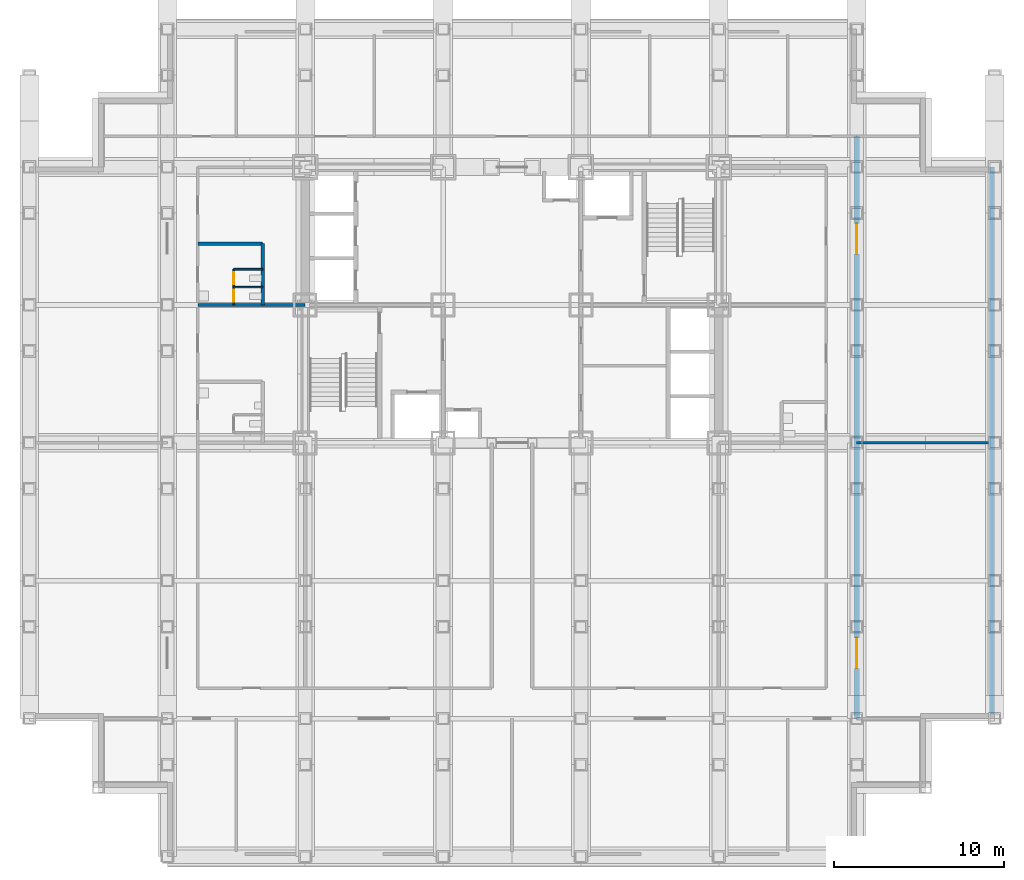
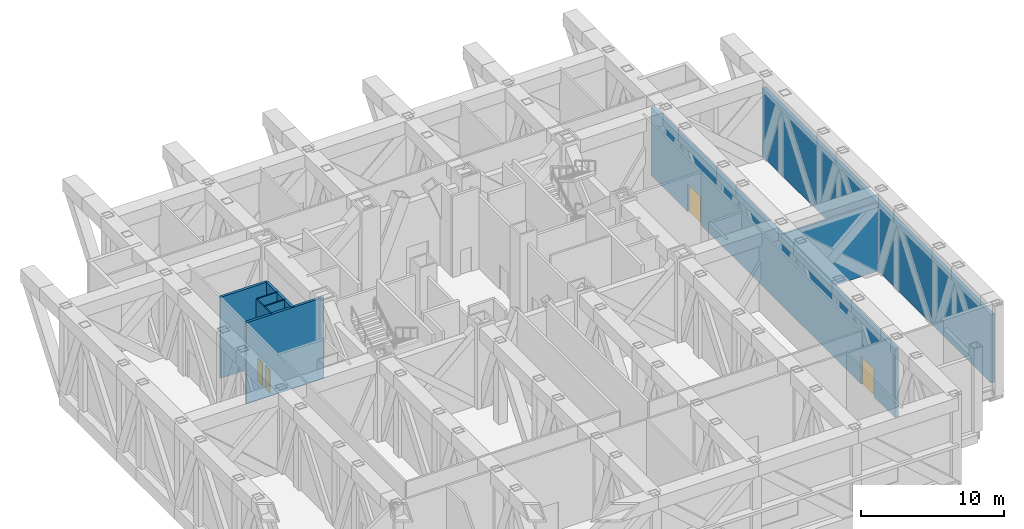
# One storey, part 9 of 13: 9 walls, 4 doors, 4 openings.
"""IFC4 building model written with IfcOpenShell, lengths in metres."""

from ifc_helpers import new_model, si_unit, direction, frame, frame_2d, origin, place, context, subcontext, project, spatial, rectangle, extrude, material, layer, layer_set, type_object, element, fill, save


model = new_model("IFC4")

# Units and contexts
model_context = context("Model", 3, precision=1e-05, world=origin(), true_north=direction((0.0, 1.0)))
body_context = subcontext(model_context, "Body", "Model", "MODEL_VIEW")
ifc_project = project(units=[si_unit("LENGTHUNIT", "METRE"), si_unit("AREAUNIT", "SQUARE_METRE"), si_unit("VOLUMEUNIT", "CUBIC_METRE"), si_unit("PLANEANGLEUNIT", "RADIAN"), si_unit("MASSUNIT", "GRAM", prefix="KILO")], contexts=[model_context])

# Site, building, storey
site_placement = place(None, origin())
site = spatial("IfcSite", under=ifc_project, at=site_placement, CompositionType="ELEMENT")
building_placement = place(site_placement, origin())
building = spatial("IfcBuilding", under=site, at=building_placement, Name="Kopane Lantern Tower", CompositionType="ELEMENT")
storey_placement = place(building_placement, frame((0.0, 0.0, 90.800048828125)))
storey = spatial("IfcBuildingStorey", under=building, at=storey_placement, Name="L23", CompositionType="ELEMENT", Elevation=90.800048828125)

# Wall, openings, doors
ifc_material_1 = material(Name="Moisture-resistant board on steel studs", Category="steel")
ifc_layer_1 = layer(ifc_material_1, 0.10009765625)
ifc_layer_set_1 = layer_set([ifc_layer_1], Name="BATHROOM WALL 100")
wall_type_1 = type_object("IfcWallType", Name="BATHROOM WALL 100", PredefinedType="PARTITIONING", material=ifc_layer_set_1)
wall_1_placement = place(storey_placement, frame((12.0, 32.39990234375, 0.0), z_axis=(0.0, 0.0, 1.0), x_axis=(0.0, 1.0, 0.0)))
wall_1 = element("IfcWall", 1, at=wall_1_placement, inside=storey, type_object=wall_type_1, Name="Bathroom Wall 100 L23", PredefinedType="PARTITIONING", context=body_context, shape_type="SweptSolid", body=[
    extrude(rectangle(XDim=2.10009765625, YDim=0.10009765625, at=frame_2d((1.050048828125, 0.0))), origin(), (0.0, 0.0, 1.0), 6.949951171875),
])
opening_1_placement = place(wall_1_placement, frame((0.199951171875, 0.0, 0.0)))
opening_1 = element("IfcOpeningElement", 2, at=opening_1_placement, cuts=wall_1, Name="Opening L23-026", PredefinedType="OPENING", context=body_context, shape_type="SweptSolid", body=[
    extrude(rectangle(XDim=0.699951171875, YDim=2.0, at=frame_2d((0.35009765625, 1.0))), frame((0.0, 0.06005859375, 0.0), z_axis=(0.0, -1.0, 0.0), x_axis=(1.0, 0.0, 0.0)), (0.0, 0.0, 1.0), 0.1201171875),
])
opening_2_placement = place(wall_1_placement, frame((1.22509765625, 0.0, 0.0)))
opening_2 = element("IfcOpeningElement", 3, at=opening_2_placement, cuts=wall_1, Name="Opening L23-027", PredefinedType="OPENING", context=body_context, shape_type="SweptSolid", body=[
    extrude(rectangle(XDim=0.699951171875, YDim=2.0, at=frame_2d((0.35009765625, 1.0))), frame((0.0, 0.06005859375, 0.0), z_axis=(0.0, -1.0, 0.0), x_axis=(1.0, 0.0, 0.0)), (0.0, 0.0, 1.0), 0.1201171875),
])
ifc_material_2 = material(Name="Timber door set", Category="wood")
door_type_1 = type_object("IfcDoorType", Name="DOOR D13 700x2000 WC CUBICLE", OperationType="SINGLE_SWING_LEFT", PredefinedType="DOOR", material=ifc_material_2)
door_1_placement = place(opening_1_placement, origin())
door_1 = element("IfcDoor", 4, at=door_1_placement, inside=storey, type_object=door_type_1, Name="Door L23-026", OperationType="SINGLE_SWING_LEFT", OverallHeight=2.0, OverallWidth=0.699951171875, PredefinedType="DOOR", context=body_context, shape_type="SweptSolid", body=[
    extrude(rectangle(XDim=0.699951171875, YDim=2.0, at=frame_2d((0.35009765625, 1.0))), frame((0.0, 0.02490234375, 0.0), z_axis=(0.0, -1.0, 0.0), x_axis=(1.0, 0.0, 0.0)), (0.0, 0.0, 1.0), 0.050048828125),
])
fill(opening_1, door_1)
door_2_placement = place(opening_2_placement, origin())
door_2 = element("IfcDoor", 5, at=door_2_placement, inside=storey, type_object=door_type_1, Name="Door L23-027", OperationType="SINGLE_SWING_RIGHT", OverallHeight=2.0, OverallWidth=0.699951171875, PredefinedType="DOOR", context=body_context, shape_type="SweptSolid", body=[
    extrude(rectangle(XDim=0.699951171875, YDim=2.0, at=frame_2d((0.35009765625, 1.0))), frame((0.0, 0.02490234375, 0.0), z_axis=(0.0, -1.0, 0.0), x_axis=(1.0, 0.0, 0.0)), (0.0, 0.0, 1.0), 0.050048828125),
])
fill(opening_2, door_2)

# Walls
for number, where, z_axis, x_axis, name in (
    (6, (12.0, 33.449951171875, 0.0), (0.0, 0.0, 1.0), (1.0, 0.0, 0.0), "Bathroom Wall 100 L23"),
    (7, (12.0, 34.5, 0.0), (0.0, 0.0, 1.0), (1.0, 0.0, 0.0), "Bathroom Wall 100 L23"),
):
    element("IfcWall", number, at=place(storey_placement, frame(where, z_axis=z_axis, x_axis=x_axis)), inside=storey, type_object=wall_type_1, Name=name, PredefinedType="PARTITIONING", context=body_context, shape_type="SweptSolid", body=[
        extrude(rectangle(XDim=1.699951171875, YDim=0.10009765625, at=frame_2d((0.85009765625, 0.0))), origin(), (0.0, 0.0, 1.0), 6.949951171875),
    ])
ifc_material_3 = material(Name="Gypsum board on steel studs", Category="steel")
ifc_layer_2 = layer(ifc_material_3, 0.14990234375)
ifc_layer_set_2 = layer_set([ifc_layer_2], Name="DEMISING WALL 150 EI 60")
wall_type_2 = type_object("IfcWallType", Name="DEMISING WALL 150 EI 60", PredefinedType="PARTITIONING", material=ifc_layer_set_2)
wall_2_placement = place(storey_placement, frame((48.60009765625, 24.300048828125, 0.0), z_axis=(0.0, 0.0, 1.0), x_axis=(1.0, 0.0, 0.0)))
element("IfcWall", 8, at=wall_2_placement, inside=storey, type_object=wall_type_2, Name="Demising Wall 150 Ei 60 L23", PredefinedType="PARTITIONING", context=body_context, shape_type="SweptSolid", body=[
    extrude(rectangle(XDim=7.7998046875, YDim=0.14990234375, at=frame_2d((3.89990234375, 0.0))), origin(), (0.0, 0.0, 1.0), 5.849853515625),
])
ifc_material_4 = material(Name="Terracotta rainscreen on light steel framing", Category="masonry")
ifc_layer_3 = layer(ifc_material_4, 0.300048828125)
ifc_layer_set_3 = layer_set([ifc_layer_3], Name="EXTERNAL WALL EW1 300 TERRACOTTA")
wall_type_3 = type_object("IfcWallType", Name="EXTERNAL WALL EW1 300 TERRACOTTA", PredefinedType="SOLIDWALL", material=ifc_layer_set_3)
wall_3_placement = place(storey_placement, frame((56.550048828125, 8.39990234375, 0.0), z_axis=(0.0, 0.0, 1.0), x_axis=(0.0, 1.0, 0.0)))
element("IfcWall", 9, at=wall_3_placement, inside=storey, type_object=wall_type_3, Name="External wall E L23", PredefinedType="SOLIDWALL", context=body_context, shape_type="SweptSolid", body=[
    extrude(rectangle(XDim=32.10009765625, YDim=0.300048828125, at=frame_2d((16.050048828125, 0.0))), origin(), (0.0, 0.0, 1.0), 5.849853515625),
])
ifc_material_5 = material(Name="Concrete masonry", Category="masonry")
ifc_layer_4 = layer(ifc_material_5, 0.199951171875)
ifc_layer_set_4 = layer_set([ifc_layer_4], Name="PLANT ROOM WALL 200 EI 120")
wall_type_4 = type_object("IfcWallType", Name="PLANT ROOM WALL 200 EI 120", PredefinedType="SOLIDWALL", material=ifc_layer_set_4)
wall_4_placement = place(storey_placement, frame((9.89990234375, 32.39990234375, 0.0), z_axis=(0.0, 0.0, 1.0), x_axis=(1.0, 0.0, 0.0)))
element("IfcWall", 10, at=wall_4_placement, inside=storey, type_object=wall_type_4, Name="Plant Room Wall 200 Ei 120 L23", PredefinedType="SOLIDWALL", context=body_context, shape_type="SweptSolid", body=[
    extrude(rectangle(XDim=6.300048828125, YDim=0.199951171875, at=frame_2d((3.14990234375, 0.0))), origin(), (0.0, 0.0, 1.0), 6.949951171875),
])
wall_5_placement = place(storey_placement, frame((9.89990234375, 36.0, 0.0), z_axis=(0.0, 0.0, 1.0), x_axis=(1.0, 0.0, 0.0)))
element("IfcWall", 11, at=wall_5_placement, inside=storey, type_object=wall_type_4, Name="Plant Room Wall 200 Ei 120 L23", PredefinedType="SOLIDWALL", context=body_context, shape_type="SweptSolid", body=[
    extrude(rectangle(XDim=3.800048828125, YDim=0.199951171875, at=frame_2d((1.89990234375, 0.0))), origin(), (0.0, 0.0, 1.0), 6.949951171875),
])
wall_6_placement = place(storey_placement, frame((13.699951171875, 32.39990234375, 0.0), z_axis=(0.0, 0.0, 1.0), x_axis=(0.0, 1.0, 0.0)))
element("IfcWall", 12, at=wall_6_placement, inside=storey, type_object=wall_type_4, Name="Plant Room Wall 200 Ei 120 L23", PredefinedType="SOLIDWALL", context=body_context, shape_type="SweptSolid", body=[
    extrude(rectangle(XDim=3.60009765625, YDim=0.199951171875, at=frame_2d((1.800048828125, 0.0))), origin(), (0.0, 0.0, 1.0), 6.949951171875),
])

# Wall, openings, doors
ifc_material_6 = material(Name="Gypsum board on steel studs", Category="steel")
ifc_layer_5 = layer(ifc_material_6, 0.300048828125)
ifc_layer_set_5 = layer_set([ifc_layer_5], Name="TRUSS CORRIDOR WALL 300 EI 120")
wall_type_5 = type_object("IfcWallType", Name="TRUSS CORRIDOR WALL 300 EI 120", PredefinedType="PARTITIONING", material=ifc_layer_set_5)
wall_7_placement = place(storey_placement, frame((48.60009765625, 8.10009765625, 0.0), z_axis=(0.0, 0.0, 1.0), x_axis=(0.0, 1.0, 0.0)))
wall_7 = element("IfcWall", 13, at=wall_7_placement, inside=storey, type_object=wall_type_5, Name="Truss Corridor Wall 300 Ei 120 L23", PredefinedType="PARTITIONING", context=body_context, shape_type="SweptSolid", body=[
    extrude(rectangle(XDim=34.199951171875, YDim=0.300048828125, at=frame_2d((17.10009765625, 0.0))), origin(), (0.0, 0.0, 1.0), 5.849853515625),
])
opening_3_placement = place(wall_7_placement, frame((2.949951171875, 0.0, 0.0)))
opening_3 = element("IfcOpeningElement", 14, at=opening_3_placement, cuts=wall_7, Name="Opening L23-019", PredefinedType="OPENING", context=body_context, shape_type="SweptSolid", body=[
    extrude(rectangle(XDim=1.800048828125, YDim=2.39990234375, at=frame_2d((0.89990234375, 1.199951171875))), frame((0.0, 0.159912109375, 0.0), z_axis=(0.0, -1.0, 0.0), x_axis=(1.0, 0.0, 0.0)), (0.0, 0.0, 1.0), 0.320068359375),
])
opening_4_placement = place(wall_7_placement, frame((27.300048828125, 0.0, 0.0)))
opening_4 = element("IfcOpeningElement", 15, at=opening_4_placement, cuts=wall_7, Name="Opening L23-020", PredefinedType="OPENING", context=body_context, shape_type="SweptSolid", body=[
    extrude(rectangle(XDim=1.800048828125, YDim=2.39990234375, at=frame_2d((0.89990234375, 1.199951171875))), frame((0.0, 0.159912109375, 0.0), z_axis=(0.0, -1.0, 0.0), x_axis=(1.0, 0.0, 0.0)), (0.0, 0.0, 1.0), 0.320068359375),
])
ifc_material_7 = material(Name="Steel door set", Category="steel")
door_type_2 = type_object("IfcDoorType", Name="DOOR D8 1800x2400 FD120", OperationType="SINGLE_SWING_LEFT", PredefinedType="DOOR", material=ifc_material_7)
door_3_placement = place(opening_3_placement, origin())
door_3 = element("IfcDoor", 16, at=door_3_placement, inside=storey, type_object=door_type_2, Name="Door L23-019", OperationType="DOUBLE_DOOR_SINGLE_SWING", OverallHeight=2.39990234375, OverallWidth=1.800048828125, PredefinedType="DOOR", context=body_context, shape_type="SweptSolid", body=[
    extrude(rectangle(XDim=1.800048828125, YDim=2.39990234375, at=frame_2d((0.89990234375, 1.199951171875))), frame((0.0, 0.02490234375, 0.0), z_axis=(0.0, -1.0, 0.0), x_axis=(1.0, 0.0, 0.0)), (0.0, 0.0, 1.0), 0.050048828125),
])
fill(opening_3, door_3)
door_4_placement = place(opening_4_placement, origin())
door_4 = element("IfcDoor", 17, at=door_4_placement, inside=storey, type_object=door_type_2, Name="Door L23-020", OperationType="DOUBLE_DOOR_SINGLE_SWING", OverallHeight=2.39990234375, OverallWidth=1.800048828125, PredefinedType="DOOR", context=body_context, shape_type="SweptSolid", body=[
    extrude(rectangle(XDim=1.800048828125, YDim=2.39990234375, at=frame_2d((0.89990234375, 1.199951171875))), frame((0.0, 0.02490234375, 0.0), z_axis=(0.0, -1.0, 0.0), x_axis=(1.0, 0.0, 0.0)), (0.0, 0.0, 1.0), 0.050048828125),
])
fill(opening_4, door_4)

save(model, "model.ifc")
